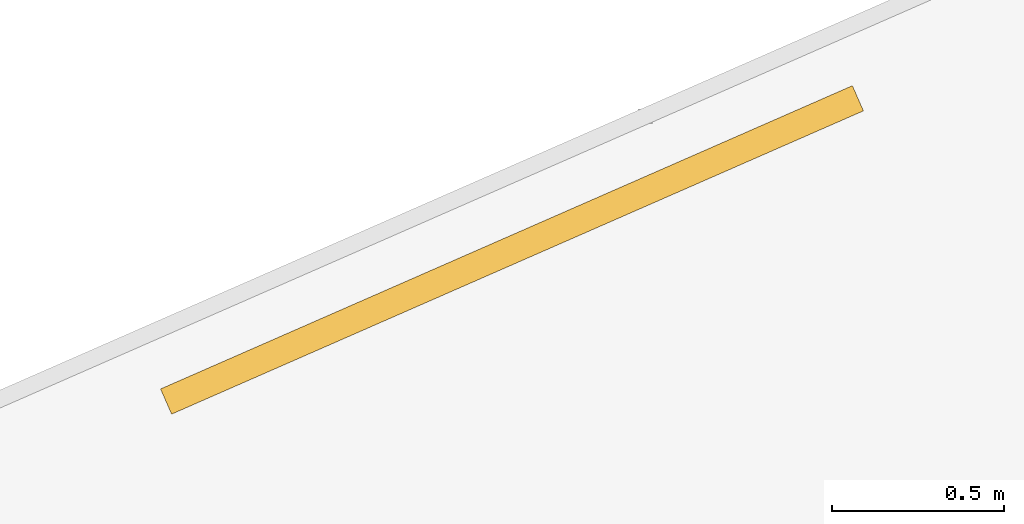
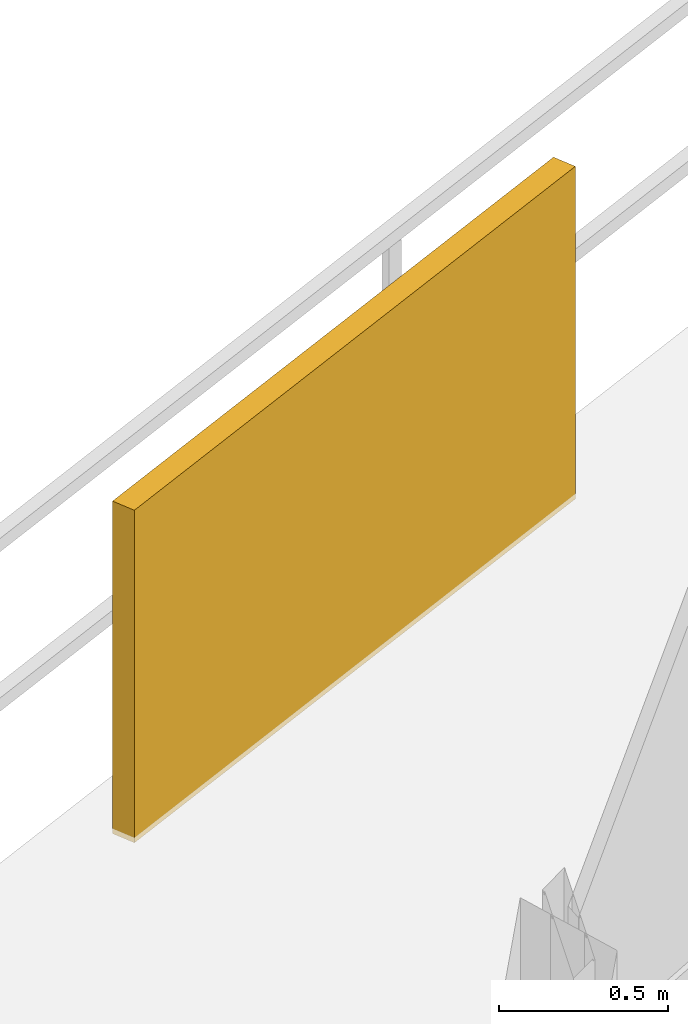
# One storey, part 30 of 31: 1 shading device.
"""IFC4 building model written with IfcOpenShell, lengths in metres."""

from ifc_helpers import new_model, si_unit, direction, frame, origin, origin_2d, place, context, subcontext, project, spatial, rectangle, extrude, material, type_object, element, save


model = new_model("IFC4")

# Units and contexts
model_context = context("Model", 3, precision=1e-05, world=origin(), true_north=direction((0.0, 1.0)))
body_context = subcontext(model_context, "Body", "Model", "MODEL_VIEW")
ifc_project = project(units=[si_unit("LENGTHUNIT", "METRE"), si_unit("AREAUNIT", "SQUARE_METRE"), si_unit("VOLUMEUNIT", "CUBIC_METRE"), si_unit("PLANEANGLEUNIT", "RADIAN"), si_unit("MASSUNIT", "GRAM", prefix="KILO")], contexts=[model_context])

# Site, building, storey
site_placement = place(None, origin())
site = spatial("IfcSite", under=ifc_project, at=site_placement, CompositionType="ELEMENT")
building_placement = place(site_placement, origin())
building = spatial("IfcBuilding", under=site, at=building_placement, Name="Vorneva Point Tower", CompositionType="ELEMENT")
storey_placement = place(building_placement, frame((0.0, 0.0, 132.60009765625)))
storey = spatial("IfcBuildingStorey", under=building, at=storey_placement, Name="L35", CompositionType="ELEMENT", Elevation=132.60009765625)

# Shading device
ifc_material = material(Name="Pale anodised aluminium", Category="aluminium")
shading_device_type = type_object("IfcShadingDeviceType", Name="SHD-JAL-1200", PredefinedType="JALOUSIE", material=ifc_material)
shading_device_placement = place(storey_placement, frame((20.985595703125, 41.49072265625, -0.02001953125), z_axis=(0.0, 0.0, 1.0), x_axis=(-0.915865920094, -0.401484266704, 0.0)))
element("IfcShadingDevice", 1, at=shading_device_placement, inside=storey, type_object=shading_device_type, Name="L35 Balcony Vertical-Greenery Planter Screen NW.2", PredefinedType="JALOUSIE", context=body_context, shape_type="SweptSolid", body=[
    extrude(rectangle(XDim=2.199951171875, YDim=0.080078125, at=origin_2d()), origin(), (0.0, 0.0, 1.0), 1.199951171875),
])

save(model, "model.ifc")
